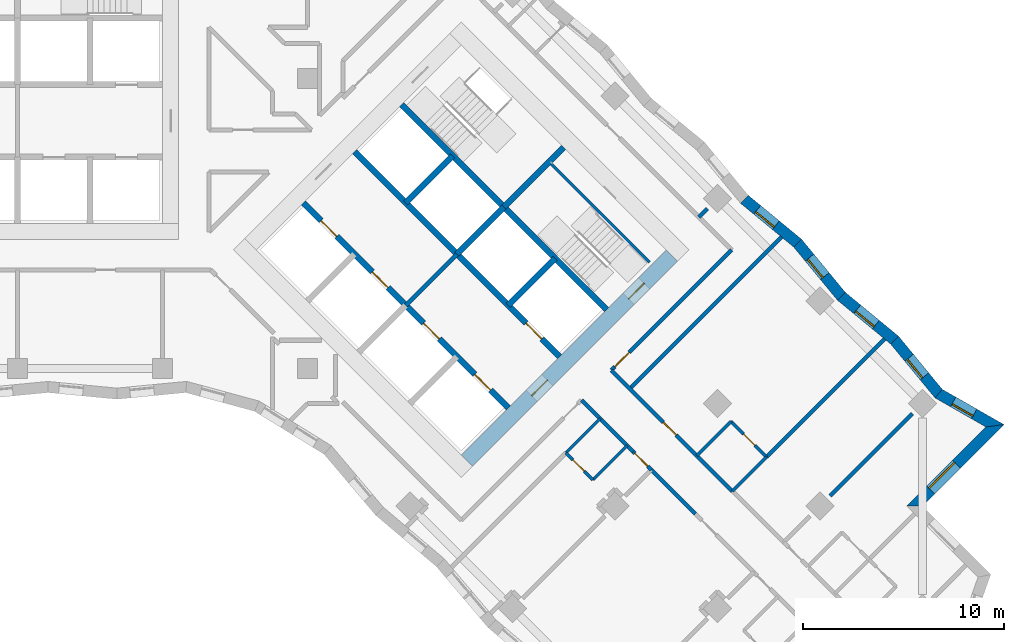
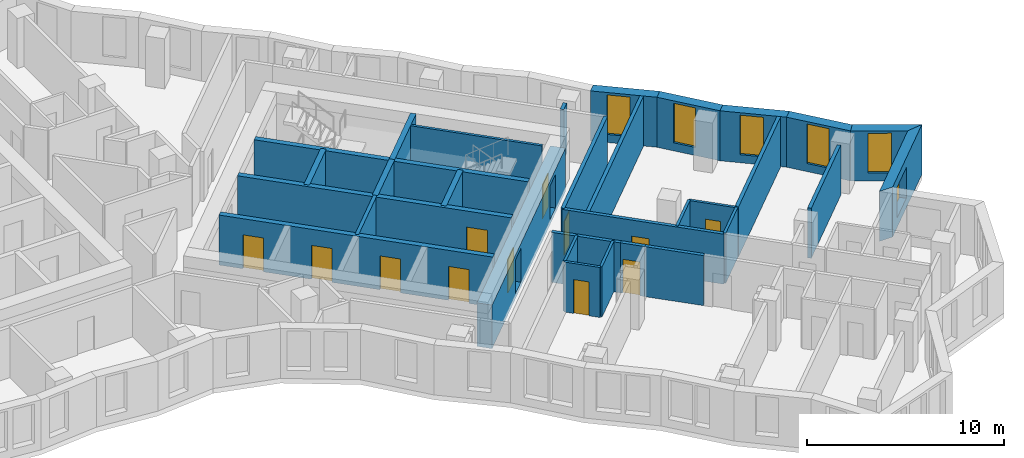
# One storey, part 9 of 12: 32 walls, 12 doors, 6 windows, 18 openings.
"""IFC4 building model written with IfcOpenShell, lengths in metres."""

from ifc_helpers import new_model, si_unit, direction, frame, frame_2d, origin, place, context, subcontext, project, spatial, polyline, rectangle, outline, extrude, material, layer, layer_set, type_object, element, fill, save


model = new_model("IFC4")

# Units and contexts
model_context = context("Model", 3, precision=1e-05, world=origin(), true_north=direction((0.0, 1.0)))
body_context = subcontext(model_context, "Body", "Model", "MODEL_VIEW")
ifc_project = project(units=[si_unit("LENGTHUNIT", "METRE"), si_unit("AREAUNIT", "SQUARE_METRE"), si_unit("VOLUMEUNIT", "CUBIC_METRE"), si_unit("PLANEANGLEUNIT", "RADIAN"), si_unit("MASSUNIT", "GRAM", prefix="KILO")], contexts=[model_context])

# Site, building, storey
site_placement = place(None, origin())
site = spatial("IfcSite", under=ifc_project, at=site_placement, CompositionType="ELEMENT")
building_placement = place(site_placement, origin())
building = spatial("IfcBuilding", under=site, at=building_placement, Name="Windrow Commons", CompositionType="ELEMENT")
storey_placement = place(building_placement, frame((0.0, 0.0, 84.6)))
storey = spatial("IfcBuildingStorey", under=building, at=storey_placement, Name="L22", CompositionType="ELEMENT", Elevation=84.6)

# Wall, opening, window
ifc_material_1 = material(Name="Brick masonry, red clay brick", Category="masonry")
ifc_layer_1 = layer(ifc_material_1, 0.55)
ifc_layer_set_1 = layer_set([ifc_layer_1], Name="Brick facade wall 550")
wall_type_1 = type_object("IfcWallType", Name="Brick facade wall 550", PredefinedType="SOLIDWALL", material=ifc_layer_set_1)
wall_1_placement = place(storey_placement, frame((109.3581, 36.3618, 0.0), z_axis=(0.0, 0.0, 1.0), x_axis=(0.7071067812, 0.7071067812, 0.0)))
wall_1 = element("IfcWall", 1, at=wall_1_placement, inside=storey, type_object=wall_type_1, Name="Brick facade wall L22 6", PredefinedType="SOLIDWALL", context=body_context, shape_type="SweptSolid", body=[
    extrude(outline(polyline([(0.275, -0.275), (6.005, -0.275), (5.2847, 0.275), (-0.275, 0.275), (0.275, -0.275)])), origin(), (0.0, 0.0, 1.0), 3.1),
])
opening_1_placement = place(wall_1_placement, frame((1.1375, 0.0, 0.6)))
opening_1 = element("IfcOpeningElement", 2, at=opening_1_placement, cuts=wall_1, Name="Opening W1L", PredefinedType="OPENING", context=body_context, shape_type="SweptSolid", body=[
    extrude(rectangle(XDim=1.8, YDim=1.9, at=frame_2d((0.9, 0.95))), frame((0.0, 0.285, 0.0), z_axis=(0.0, -1.0, 0.0), x_axis=(1.0, 0.0, 0.0)), (0.0, 0.0, 1.0), 0.57),
])
ifc_material_2 = material(Name="Clear float glass in anodised aluminium frame", Category="aluminium")
window_type_1 = type_object("IfcWindowType", Name="Window W1L bedroom 1800x1900", PartitioningType="SINGLE_PANEL", PredefinedType="WINDOW", material=ifc_material_2)
window_1_placement = place(opening_1_placement, origin())
window_1 = element("IfcWindow", 3, at=window_1_placement, inside=storey, type_object=window_type_1, Name="Window L22 6.1", OverallHeight=1.9, OverallWidth=1.8, PartitioningType="SINGLE_PANEL", PredefinedType="WINDOW", context=body_context, shape_type="SweptSolid", body=[
    extrude(rectangle(XDim=1.8, YDim=1.9, at=frame_2d((0.9, 0.95))), frame((0.0, 0.155, 0.0), z_axis=(0.0, -1.0, 0.0), x_axis=(1.0, 0.0, 0.0)), (0.0, 0.0, 1.0), 0.06),
])
fill(opening_1, window_1)

wall_2_placement = place(storey_placement, frame((113.3496, 40.3533, 0.0), z_axis=(0.0, 0.0, 1.0), x_axis=(-0.8684016794, 0.4958613951, 0.0)))
wall_2 = element("IfcWall", 4, at=wall_2_placement, inside=storey, type_object=wall_type_1, Name="Brick facade wall L22 7", PredefinedType="SOLIDWALL", context=body_context, shape_type="SweptSolid", body=[
    extrude(outline(polyline([(-0.3602, -0.275), (3.1704, -0.275), (3.2714, 0.275), (0.3602, 0.275), (-0.3602, -0.275)])), origin(), (0.0, 0.0, 1.0), 3.1),
])
opening_2_placement = place(wall_2_placement, frame((1.1905, 0.0, 0.5)))
opening_2 = element("IfcOpeningElement", 5, at=opening_2_placement, cuts=wall_2, Name="Opening W7D", PredefinedType="OPENING", context=body_context, shape_type="SweptSolid", body=[
    extrude(rectangle(XDim=1.2, YDim=2.45, at=frame_2d((0.6, 1.225))), frame((0.0, 0.285, 0.0), z_axis=(0.0, -1.0, 0.0), x_axis=(1.0, 0.0, 0.0)), (0.0, 0.0, 1.0), 0.57),
])
ifc_material_3 = material(Name="Clear float glass in anodised aluminium frame", Category="aluminium")
window_type_2 = type_object("IfcWindowType", Name="Window W7 notch 1200x2450", PartitioningType="SINGLE_PANEL", PredefinedType="WINDOW", material=ifc_material_3)
window_2_placement = place(opening_2_placement, origin())
window_2 = element("IfcWindow", 6, at=window_2_placement, inside=storey, type_object=window_type_2, Name="Window L22 7.1", OverallHeight=2.45, OverallWidth=1.2, PartitioningType="SINGLE_PANEL", PredefinedType="WINDOW", context=body_context, shape_type="SweptSolid", body=[
    extrude(rectangle(XDim=1.2, YDim=2.45, at=frame_2d((0.6, 1.225))), frame((0.0, 0.155, 0.0), z_axis=(0.0, -1.0, 0.0), x_axis=(1.0, 0.0, 0.0)), (0.0, 0.0, 1.0), 0.06),
])
fill(opening_2, window_2)

wall_3_placement = place(storey_placement, frame((110.5526, 41.9504, 0.0), z_axis=(0.0, 0.0, 1.0), x_axis=(-0.6356085732, 0.7720114906, 0.0)))
wall_3 = element("IfcWall", 7, at=wall_3_placement, inside=storey, type_object=wall_type_1, Name="Brick facade wall L22 8", PredefinedType="SOLIDWALL", context=body_context, shape_type="SweptSolid", body=[
    extrude(outline(polyline([(0.0505, -0.275), (3.4723, -0.275), (3.419, 0.275), (-0.0505, 0.275), (0.0505, -0.275)])), origin(), (0.0, 0.0, 1.0), 3.1),
])
opening_3_placement = place(wall_3_placement, frame((1.1095, 0.0, 0.5)))
opening_3 = element("IfcOpeningElement", 8, at=opening_3_placement, cuts=wall_3, Name="Opening W7D", PredefinedType="OPENING", context=body_context, shape_type="SweptSolid", body=[
    extrude(rectangle(XDim=1.2, YDim=2.45, at=frame_2d((0.6, 1.225))), frame((0.0, 0.285, 0.0), z_axis=(0.0, -1.0, 0.0), x_axis=(1.0, 0.0, 0.0)), (0.0, 0.0, 1.0), 0.57),
])
window_3_placement = place(opening_3_placement, origin())
window_3 = element("IfcWindow", 9, at=window_3_placement, inside=storey, type_object=window_type_2, Name="Window L22 8.1", OverallHeight=2.45, OverallWidth=1.2, PartitioningType="SINGLE_PANEL", PredefinedType="WINDOW", context=body_context, shape_type="SweptSolid", body=[
    extrude(rectangle(XDim=1.2, YDim=2.45, at=frame_2d((0.6, 1.225))), frame((0.0, 0.155, 0.0), z_axis=(0.0, -1.0, 0.0), x_axis=(1.0, 0.0, 0.0)), (0.0, 0.0, 1.0), 0.06),
])
fill(opening_3, window_3)

wall_4_placement = place(storey_placement, frame((108.3625, 44.6105, 0.0), z_axis=(0.0, 0.0, 1.0), x_axis=(-0.7720044648, 0.6356171067, 0.0)))
wall_4 = element("IfcWall", 10, at=wall_4_placement, inside=storey, type_object=wall_type_1, Name="Brick facade wall L22 9", PredefinedType="SOLIDWALL", context=body_context, shape_type="SweptSolid", body=[
    extrude(outline(polyline([(-0.0266, -0.275), (3.3952, -0.275), (3.4485, 0.275), (0.0266, 0.275), (-0.0266, -0.275)])), origin(), (0.0, 0.0, 1.0), 3.1),
])
opening_4_placement = place(wall_4_placement, frame((1.2059, 0.0, 0.5)))
opening_4 = element("IfcOpeningElement", 11, at=opening_4_placement, cuts=wall_4, Name="Opening W7D", PredefinedType="OPENING", context=body_context, shape_type="SweptSolid", body=[
    extrude(rectangle(XDim=1.2, YDim=2.45, at=frame_2d((0.6, 1.225))), frame((0.0, 0.285, 0.0), z_axis=(0.0, -1.0, 0.0), x_axis=(1.0, 0.0, 0.0)), (0.0, 0.0, 1.0), 0.57),
])
window_4_placement = place(opening_4_placement, origin())
window_4 = element("IfcWindow", 12, at=window_4_placement, inside=storey, type_object=window_type_2, Name="Window L22 9.1", OverallHeight=2.45, OverallWidth=1.2, PartitioningType="SINGLE_PANEL", PredefinedType="WINDOW", context=body_context, shape_type="SweptSolid", body=[
    extrude(rectangle(XDim=1.2, YDim=2.45, at=frame_2d((0.6, 1.225))), frame((0.0, 0.155, 0.0), z_axis=(0.0, -1.0, 0.0), x_axis=(1.0, 0.0, 0.0)), (0.0, 0.0, 1.0), 0.06),
])
fill(opening_4, window_4)

wall_5_placement = place(storey_placement, frame((105.7208, 46.7855, 0.0), z_axis=(0.0, 0.0, 1.0), x_axis=(-0.6356171067, 0.7720044648, 0.0)))
wall_5 = element("IfcWall", 13, at=wall_5_placement, inside=storey, type_object=wall_type_1, Name="Brick facade wall L22 10", PredefinedType="SOLIDWALL", context=body_context, shape_type="SweptSolid", body=[
    extrude(outline(polyline([(0.0266, -0.275), (3.4485, -0.275), (3.3952, 0.275), (-0.0266, 0.275), (0.0266, -0.275)])), origin(), (0.0, 0.0, 1.0), 3.1),
])
opening_5_placement = place(wall_5_placement, frame((1.2901, 0.0, 0.5)))
opening_5 = element("IfcOpeningElement", 14, at=opening_5_placement, cuts=wall_5, Name="Opening W7D", PredefinedType="OPENING", context=body_context, shape_type="SweptSolid", body=[
    extrude(rectangle(XDim=1.2, YDim=2.45, at=frame_2d((0.6, 1.225))), frame((0.0, 0.285, 0.0), z_axis=(0.0, -1.0, 0.0), x_axis=(1.0, 0.0, 0.0)), (0.0, 0.0, 1.0), 0.57),
])
window_5_placement = place(opening_5_placement, origin())
window_5 = element("IfcWindow", 15, at=window_5_placement, inside=storey, type_object=window_type_2, Name="Window L22 10.1", OverallHeight=2.45, OverallWidth=1.2, PartitioningType="SINGLE_PANEL", PredefinedType="WINDOW", context=body_context, shape_type="SweptSolid", body=[
    extrude(rectangle(XDim=1.2, YDim=2.45, at=frame_2d((0.6, 1.225))), frame((0.0, 0.155, 0.0), z_axis=(0.0, -1.0, 0.0), x_axis=(1.0, 0.0, 0.0)), (0.0, 0.0, 1.0), 0.06),
])
fill(opening_5, window_5)

wall_6_placement = place(storey_placement, frame((103.5458, 49.4272, 0.0), z_axis=(0.0, 0.0, 1.0), x_axis=(-0.7720069983, 0.6356140296, 0.0)))
wall_6 = element("IfcWall", 16, at=wall_6_placement, inside=storey, type_object=wall_type_1, Name="Brick facade wall L22 11", PredefinedType="SOLIDWALL", context=body_context, shape_type="SweptSolid", body=[
    extrude(outline(polyline([(-0.0266, -0.275), (3.3952, -0.275), (3.4485, 0.275), (0.0266, 0.275), (-0.0266, -0.275)])), origin(), (0.0, 0.0, 1.0), 3.1),
])
opening_6_placement = place(wall_6_placement, frame((1.401, 0.0, 0.5)))
opening_6 = element("IfcOpeningElement", 17, at=opening_6_placement, cuts=wall_6, Name="Opening W7D", PredefinedType="OPENING", context=body_context, shape_type="SweptSolid", body=[
    extrude(rectangle(XDim=1.2, YDim=2.45, at=frame_2d((0.6, 1.225))), frame((0.0, 0.285, 0.0), z_axis=(0.0, -1.0, 0.0), x_axis=(1.0, 0.0, 0.0)), (0.0, 0.0, 1.0), 0.57),
])
window_6_placement = place(opening_6_placement, origin())
window_6 = element("IfcWindow", 18, at=window_6_placement, inside=storey, type_object=window_type_2, Name="Window L22 11.1", OverallHeight=2.45, OverallWidth=1.2, PartitioningType="SINGLE_PANEL", PredefinedType="WINDOW", context=body_context, shape_type="SweptSolid", body=[
    extrude(rectangle(XDim=1.2, YDim=2.45, at=frame_2d((0.6, 1.225))), frame((0.0, 0.155, 0.0), z_axis=(0.0, -1.0, 0.0), x_axis=(1.0, 0.0, 0.0)), (0.0, 0.0, 1.0), 0.06),
])
fill(opening_6, window_6)

# Wall
ifc_material_4 = material(Name="Blockwork partition", Category="masonry")
ifc_layer_2 = layer(ifc_material_4, 0.2)
ifc_layer_set_2 = layer_set([ifc_layer_2], Name="Fire lobby partition 200")
wall_type_2 = type_object("IfcWallType", Name="Fire lobby partition 200", PredefinedType="PARTITIONING", material=ifc_layer_set_2)
wall_7_placement = place(storey_placement, frame((84.079, 46.332, 0.0), z_axis=(0.0, 0.0, 1.0), x_axis=(0.7071067812, 0.7071067812, 0.0)))
element("IfcWall", 19, at=wall_7_placement, inside=storey, type_object=wall_type_2, Name="W-core-lobby-B-L22", PredefinedType="PARTITIONING", context=body_context, shape_type="SweptSolid", body=[
    extrude(rectangle(XDim=3.6, YDim=0.2, at=frame_2d((1.8, 0.0))), origin(), (0.0, 0.0, 1.0), 3.1),
])

# Wall, opening, door
ifc_material_5 = material(Name="Blockwork partition", Category="masonry")
ifc_layer_3 = layer(ifc_material_5, 0.2)
ifc_layer_set_3 = layer_set([ifc_layer_3], Name="IW-CORRIDOR-200")
wall_type_3 = type_object("IfcWallType", Name="IW-CORRIDOR-200", PredefinedType="PARTITIONING", material=ifc_layer_set_3)
wall_8_placement = place(storey_placement, frame((94.2945, 43.1105, 0.0), z_axis=(0.0, 0.0, 1.0), x_axis=(0.7071067812, -0.7071067812, 0.0)))
wall_8 = element("IfcWall", 20, at=wall_8_placement, inside=storey, type_object=wall_type_3, Name="W-L22-W008", PredefinedType="PARTITIONING", context=body_context, shape_type="SweptSolid", body=[
    extrude(rectangle(XDim=8.4994, YDim=0.2, at=frame_2d((4.2497, 0.0))), origin(), (0.0, 0.0, 1.0), 3.1),
])
opening_7_placement = place(wall_8_placement, frame((3.6515, 0.0, 0.0)))
opening_7 = element("IfcOpeningElement", 21, at=opening_7_placement, cuts=wall_8, Name="Opening D109F", PredefinedType="OPENING", context=body_context, shape_type="SweptSolid", body=[
    extrude(rectangle(XDim=0.9, YDim=2.1, at=frame_2d((0.45, 1.05))), frame((0.0, 0.11, 0.0), z_axis=(0.0, -1.0, 0.0), x_axis=(1.0, 0.0, 0.0)), (0.0, 0.0, 1.0), 0.22),
])
ifc_material_6 = material(Name="Timber door leaf", Category="wood")
door_type_1 = type_object("IfcDoorType", Name="DT-BEDROOM-900", OperationType="SINGLE_SWING_LEFT", PredefinedType="DOOR", material=ifc_material_6)
door_1_placement = place(opening_7_placement, origin())
door_1 = element("IfcDoor", 22, at=door_1_placement, inside=storey, type_object=door_type_1, Name="D-L22-D043", OperationType="SINGLE_SWING_RIGHT", OverallHeight=2.1, OverallWidth=0.9, PredefinedType="DOOR", context=body_context, shape_type="SweptSolid", body=[
    extrude(rectangle(XDim=0.9, YDim=2.1, at=frame_2d((0.45, 1.05))), frame((0.0, 0.025, 0.0), z_axis=(0.0, -1.0, 0.0), x_axis=(1.0, 0.0, 0.0)), (0.0, 0.0, 1.0), 0.05),
])
fill(opening_7, door_1)

wall_9_placement = place(storey_placement, frame((94.2972, 43.1168, 0.0), z_axis=(0.0, 0.0, 1.0), x_axis=(0.7071067812, 0.7071067812, 0.0)))
wall_9 = element("IfcWall", 23, at=wall_9_placement, inside=storey, type_object=wall_type_3, Name="W-L22-W010", PredefinedType="PARTITIONING", context=body_context, shape_type="SweptSolid", body=[
    extrude(rectangle(XDim=8.4485, YDim=0.2, at=frame_2d((4.2242, 0.0))), origin(), (0.0, 0.0, 1.0), 3.1),
])
opening_8_placement = place(wall_9_placement, frame((0.2416, 0.0, 0.0)))
opening_8 = element("IfcOpeningElement", 24, at=opening_8_placement, cuts=wall_9, Name="Opening D310F", PredefinedType="OPENING", context=body_context, shape_type="SweptSolid", body=[
    extrude(rectangle(XDim=1.0, YDim=2.1, at=frame_2d((0.5, 1.05))), frame((0.0, 0.11, 0.0), z_axis=(0.0, -1.0, 0.0), x_axis=(1.0, 0.0, 0.0)), (0.0, 0.0, 1.0), 0.22),
])
ifc_material_7 = material(Name="Timber door leaf", Category="wood")
door_type_2 = type_object("IfcDoorType", Name="DT-AMENITY-1000", OperationType="SINGLE_SWING_LEFT", PredefinedType="DOOR", material=ifc_material_7)
door_2_placement = place(opening_8_placement, origin())
door_2 = element("IfcDoor", 25, at=door_2_placement, inside=storey, type_object=door_type_2, Name="D-L22-D042", OperationType="SINGLE_SWING_LEFT", OverallHeight=2.1, OverallWidth=1.0, PredefinedType="DOOR", context=body_context, shape_type="SweptSolid", body=[
    extrude(rectangle(XDim=1.0, YDim=2.1, at=frame_2d((0.5, 1.05))), frame((0.0, 0.025, 0.0), z_axis=(0.0, -1.0, 0.0), x_axis=(1.0, 0.0, 0.0)), (0.0, 0.0, 1.0), 0.05),
])
fill(opening_8, door_2)

# Walls
wall_10_placement = place(storey_placement, frame((92.8086, 41.6266, 0.0), z_axis=(0.0, 0.0, 1.0), x_axis=(0.7071067812, -0.7071067812, 0.0)))
element("IfcWall", 26, at=wall_10_placement, inside=storey, type_object=wall_type_3, Name="W-L22-W057", PredefinedType="PARTITIONING", context=body_context, shape_type="SweptSolid", body=[
    extrude(rectangle(XDim=3.6232, YDim=0.2, at=frame_2d((1.8116, 0.0))), origin(), (0.0, 0.0, 1.0), 3.1),
])
wall_11_placement = place(storey_placement, frame((96.2736, 38.1616, 0.0), z_axis=(0.0, 0.0, 1.0), x_axis=(0.7071067812, -0.7071067812, 0.0)))
element("IfcWall", 27, at=wall_11_placement, inside=storey, type_object=wall_type_3, Name="W-L22-W063", PredefinedType="PARTITIONING", context=body_context, shape_type="SweptSolid", body=[
    extrude(rectangle(XDim=3.1, YDim=0.2, at=frame_2d((1.55, 0.0))), origin(), (0.0, 0.0, 1.0), 3.1),
])

# Wall, opening, door
wall_12_placement = place(storey_placement, frame((95.3748, 39.0688, 0.0), z_axis=(0.0, 0.0, 1.0), x_axis=(0.7063232841, -0.7078894111, 0.0)))
wall_12 = element("IfcWall", 28, at=wall_12_placement, inside=storey, type_object=wall_type_3, Name="W-L22-W147", PredefinedType="PARTITIONING", context=body_context, shape_type="SweptSolid", body=[
    extrude(rectangle(XDim=1.277, YDim=0.2, at=frame_2d((0.6385, 0.0))), origin(), (0.0, 0.0, 1.0), 3.1),
])
opening_9_placement = place(wall_12_placement, frame((0.1285, 0.0, 0.0)))
opening_9 = element("IfcOpeningElement", 29, at=opening_9_placement, cuts=wall_12, Name="Opening D109S", PredefinedType="OPENING", context=body_context, shape_type="SweptSolid", body=[
    extrude(rectangle(XDim=0.9, YDim=2.1, at=frame_2d((0.45, 1.05))), frame((0.0, 0.11, 0.0), z_axis=(0.0, -1.0, 0.0), x_axis=(1.0, 0.0, 0.0)), (0.0, 0.0, 1.0), 0.22),
])
door_3_placement = place(opening_9_placement, origin())
door_3 = element("IfcDoor", 30, at=door_3_placement, inside=storey, type_object=door_type_1, Name="D-L22-D048", OperationType="SINGLE_SWING_LEFT", OverallHeight=2.1, OverallWidth=0.9, PredefinedType="DOOR", context=body_context, shape_type="SweptSolid", body=[
    extrude(rectangle(XDim=0.9, YDim=2.1, at=frame_2d((0.45, 1.05))), frame((0.0, 0.025, 0.0), z_axis=(0.0, -1.0, 0.0), x_axis=(1.0, 0.0, 0.0)), (0.0, 0.0, 1.0), 0.05),
])
fill(opening_9, door_3)

ifc_material_8 = material(Name="Blockwork partition", Category="masonry")
ifc_layer_4 = layer(ifc_material_8, 0.15)
ifc_layer_set_4 = layer_set([ifc_layer_4], Name="IW-ENSUITE-150")
wall_type_4 = type_object("IfcWallType", Name="IW-ENSUITE-150", PredefinedType="PARTITIONING", material=ifc_layer_set_4)
wall_13_placement = place(storey_placement, frame((100.2326, 40.5666, 0.0), z_axis=(0.0, 0.0, 1.0), x_axis=(0.7071067812, -0.7071067812, 0.0)))
wall_13 = element("IfcWall", 31, at=wall_13_placement, inside=storey, type_object=wall_type_4, Name="W-L22-W069", PredefinedType="PARTITIONING", context=body_context, shape_type="SweptSolid", body=[
    extrude(rectangle(XDim=2.5003, YDim=0.15, at=frame_2d((1.2502, 0.0))), origin(), (0.0, 0.0, 1.0), 3.1),
])
opening_10_placement = place(wall_13_placement, frame((0.883, 0.0, 0.0)))
opening_10 = element("IfcOpeningElement", 32, at=opening_10_placement, cuts=wall_13, Name="Opening D208N", PredefinedType="OPENING", context=body_context, shape_type="SweptSolid", body=[
    extrude(rectangle(XDim=0.8, YDim=2.1, at=frame_2d((0.4, 1.05))), frame((0.0, 0.085, 0.0), z_axis=(0.0, -1.0, 0.0), x_axis=(1.0, 0.0, 0.0)), (0.0, 0.0, 1.0), 0.17),
])
ifc_material_9 = material(Name="Timber door leaf", Category="wood")
door_type_3 = type_object("IfcDoorType", Name="DT-ENSUITE-800", OperationType="SINGLE_SWING_LEFT", PredefinedType="DOOR", material=ifc_material_9)
door_4_placement = place(opening_10_placement, origin())
door_4 = element("IfcDoor", 33, at=door_4_placement, inside=storey, type_object=door_type_3, Name="D-L22-D044", OperationType="SINGLE_SWING_RIGHT", OverallHeight=2.1, OverallWidth=0.8, PredefinedType="DOOR", context=body_context, shape_type="SweptSolid", body=[
    extrude(rectangle(XDim=0.8, YDim=2.1, at=frame_2d((0.4, 1.05))), frame((0.0, 0.025, 0.0), z_axis=(0.0, -1.0, 0.0), x_axis=(1.0, 0.0, 0.0)), (0.0, 0.0, 1.0), 0.05),
])
fill(opening_10, door_4)

# Walls
for number, where, z_axis, x_axis, name in (
    (34, (92.0367, 39.0113, 0.0), (0.0, 0.0, 1.0), (0.7075233388, 0.706689978, 0.0), "W-L22-W091"),
    (35, (93.3808, 37.6672, 0.0), (0.0, 0.0, 1.0), (0.706689978, 0.7075233388, 0.0), "W-L22-W092"),
    (36, (98.5408, 38.8712, 0.0), (0.0, 0.0, 1.0), (0.706689978, 0.7075233388, 0.0), "W-L22-W093"),
    (37, (100.3085, 37.1035, 0.0), (0.0, 0.0, 1.0), (0.706689978, 0.7075233388, 0.0), "W-L22-W094"),
):
    element("IfcWall", number, at=place(storey_placement, frame(where, z_axis=z_axis, x_axis=x_axis)), inside=storey, type_object=wall_type_4, Name=name, PredefinedType="PARTITIONING", context=body_context, shape_type="SweptSolid", body=[
        extrude(rectangle(XDim=2.3999, YDim=0.15, at=frame_2d((1.2, 0.0))), origin(), (0.0, 0.0, 1.0), 3.1),
    ])

# Wall, opening, door
wall_14_placement = place(storey_placement, frame((92.0305, 39.0105, 0.0), z_axis=(0.0, 0.0, 1.0), x_axis=(0.7071067812, -0.7071067812, 0.0)))
wall_14 = element("IfcWall", 38, at=wall_14_placement, inside=storey, type_object=wall_type_4, Name="W-L22-W124", PredefinedType="PARTITIONING", context=body_context, shape_type="SweptSolid", body=[
    extrude(rectangle(XDim=1.9007, YDim=0.15, at=frame_2d((0.9504, 0.0))), origin(), (0.0, 0.0, 1.0), 3.1),
])
opening_11_placement = place(wall_14_placement, frame((0.5024, 0.0, 0.0)))
opening_11 = element("IfcOpeningElement", 39, at=opening_11_placement, cuts=wall_14, Name="Opening D208N", PredefinedType="OPENING", context=body_context, shape_type="SweptSolid", body=[
    extrude(rectangle(XDim=0.8, YDim=2.1, at=frame_2d((0.4, 1.05))), frame((0.0, 0.085, 0.0), z_axis=(0.0, -1.0, 0.0), x_axis=(1.0, 0.0, 0.0)), (0.0, 0.0, 1.0), 0.17),
])
door_5_placement = place(opening_11_placement, origin())
door_5 = element("IfcDoor", 40, at=door_5_placement, inside=storey, type_object=door_type_3, Name="D-L22-D049", OperationType="SINGLE_SWING_RIGHT", OverallHeight=2.1, OverallWidth=0.8, PredefinedType="DOOR", context=body_context, shape_type="SweptSolid", body=[
    extrude(rectangle(XDim=0.8, YDim=2.1, at=frame_2d((0.4, 1.05))), frame((0.0, 0.025, 0.0), z_axis=(0.0, -1.0, 0.0), x_axis=(1.0, 0.0, 0.0)), (0.0, 0.0, 1.0), 0.05),
])
fill(opening_11, door_5)

# Walls
ifc_material_10 = material(Name="Blockwork partition", Category="masonry")
ifc_layer_5 = layer(ifc_material_10, 0.2)
ifc_layer_set_5 = layer_set([ifc_layer_5], Name="IW-PARTY-200")
wall_type_5 = type_object("IfcWallType", Name="IW-PARTY-200", PredefinedType="PARTITIONING", material=ifc_layer_set_5)
wall_15_placement = place(storey_placement, frame((95.2154, 42.1966, 0.0), z_axis=(0.0, 0.0, 1.0), x_axis=(0.7071114753, 0.7071020871, 0.0)))
element("IfcWall", 41, at=wall_15_placement, inside=storey, type_object=wall_type_5, Name="W-L22-W006", PredefinedType="PARTITIONING", context=body_context, shape_type="SweptSolid", body=[
    extrude(rectangle(XDim=10.6516, YDim=0.2, at=frame_2d((5.3258, 0.0))), origin(), (0.0, 0.0, 1.0), 3.1),
])
wall_16_placement = place(storey_placement, frame((102.002, 38.804, 0.0), z_axis=(0.0, 0.0, 1.0), x_axis=(0.7072394704, 0.7069740671, 0.0)))
element("IfcWall", 42, at=wall_16_placement, inside=storey, type_object=wall_type_5, Name="W-L22-W012", PredefinedType="PARTITIONING", context=body_context, shape_type="SweptSolid", body=[
    extrude(rectangle(XDim=8.2893, YDim=0.2, at=frame_2d((4.1447, 0.0))), origin(), (0.0, 0.0, 1.0), 3.1),
])
wall_17_placement = place(storey_placement, frame((105.1552, 36.8628, 0.0), z_axis=(0.0, 0.0, 1.0), x_axis=(0.7071067812, 0.7071067812, 0.0)))
element("IfcWall", 43, at=wall_17_placement, inside=storey, type_object=wall_type_5, Name="W-L22-W030", PredefinedType="PARTITIONING", context=body_context, shape_type="SweptSolid", body=[
    extrude(rectangle(XDim=5.787, YDim=0.2, at=frame_2d((2.8935, 0.0))), origin(), (0.0, 0.0, 1.0), 3.1),
])
wall_18_placement = place(storey_placement, frame((98.6435, 50.7185, 0.0), z_axis=(0.0, 0.0, 1.0), x_axis=(0.7054171665, 0.7087923682, 0.0)))
element("IfcWall", 44, at=wall_18_placement, inside=storey, type_object=wall_type_5, Name="W-L22-W160", PredefinedType="PARTITIONING", context=body_context, shape_type="SweptSolid", body=[
    extrude(rectangle(XDim=0.5926, YDim=0.2, at=frame_2d((0.2963, 0.0))), origin(), (0.0, 0.0, 1.0), 3.1),
])

# Wall, openings, doors
ifc_material_11 = material(Name="Concrete C50/60", Category="concrete")
ifc_layer_6 = layer(ifc_material_11, 0.8)
ifc_layer_set_6 = layer_set([ifc_layer_6], Name="RC CORE WALL 800 C50/60")
wall_type_6 = type_object("IfcWallType", Name="RC CORE WALL 800 C50/60", PredefinedType="SHEAR", material=ifc_layer_set_6)
wall_19_placement = place(storey_placement, frame((87.1196, 38.6246, -0.3), z_axis=(0.0, 0.0, 1.0), x_axis=(0.7071067812, 0.7071067812, 0.0)))
wall_19 = element("IfcWall", 45, at=wall_19_placement, inside=storey, type_object=wall_type_6, Name="Core B wall outer-E", PredefinedType="SHEAR", context=body_context, shape_type="SweptSolid", body=[
    extrude(rectangle(XDim=14.3999, YDim=0.8, at=frame_2d((7.2, 0.0))), origin(), (0.0, 0.0, 1.0), 2.7),
])
opening_12_placement = place(wall_19_placement, frame((4.55, 0.0, 0.3)))
opening_12 = element("IfcOpeningElement", 46, at=opening_12_placement, cuts=wall_19, Name="Opening D6", PredefinedType="OPENING", context=body_context, shape_type="SweptSolid", body=[
    extrude(rectangle(XDim=1.1, YDim=2.1, at=frame_2d((0.55, 1.05))), frame((0.0, 0.41, 0.0), z_axis=(0.0, -1.0, 0.0), x_axis=(1.0, 0.0, 0.0)), (0.0, 0.0, 1.0), 0.82),
])
opening_13_placement = place(wall_19_placement, frame((11.35, 0.0, 0.3)))
opening_13 = element("IfcOpeningElement", 47, at=opening_13_placement, cuts=wall_19, Name="Opening D7", PredefinedType="OPENING", context=body_context, shape_type="SweptSolid", body=[
    extrude(rectangle(XDim=1.1, YDim=2.1, at=frame_2d((0.55, 1.05))), frame((0.0, 0.41, 0.0), z_axis=(0.0, -1.0, 0.0), x_axis=(1.0, 0.0, 0.0)), (0.0, 0.0, 1.0), 0.82),
])
ifc_material_12 = material(Name="Steel fire door leaf", Category="steel")
door_type_4 = type_object("IfcDoorType", Name="Core lobby door 1100", OperationType="SINGLE_SWING_LEFT", PredefinedType="DOOR", material=ifc_material_12)
door_6_placement = place(opening_12_placement, origin())
door_6 = element("IfcDoor", 48, at=door_6_placement, inside=storey, type_object=door_type_4, Name="Lift lobby door", OperationType="DOUBLE_DOOR_SINGLE_SWING", OverallHeight=2.1, OverallWidth=1.1, PredefinedType="DOOR", context=body_context, shape_type="SweptSolid", body=[
    extrude(rectangle(XDim=1.1, YDim=2.1, at=frame_2d((0.55, 1.05))), frame((0.0, 0.025, 0.0), z_axis=(0.0, -1.0, 0.0), x_axis=(1.0, 0.0, 0.0)), (0.0, 0.0, 1.0), 0.05),
])
fill(opening_12, door_6)
ifc_material_13 = material(Name="Steel fire door leaf", Category="steel")
door_type_5 = type_object("IfcDoorType", Name="Stair door 1100", OperationType="SINGLE_SWING_LEFT", PredefinedType="DOOR", material=ifc_material_13)
door_7_placement = place(opening_13_placement, origin())
door_7 = element("IfcDoor", 49, at=door_7_placement, inside=storey, type_object=door_type_5, Name="Stair door", OperationType="SINGLE_SWING_RIGHT", OverallHeight=2.1, OverallWidth=1.1, PredefinedType="DOOR", context=body_context, shape_type="SweptSolid", body=[
    extrude(rectangle(XDim=1.1, YDim=2.1, at=frame_2d((0.55, 1.05))), frame((0.0, 0.025, 0.0), z_axis=(0.0, -1.0, 0.0), x_axis=(1.0, 0.0, 0.0)), (0.0, 0.0, 1.0), 0.05),
])
fill(opening_13, door_7)

# Walls
ifc_material_14 = material(Name="Concrete C50/60", Category="concrete")
ifc_layer_7 = layer(ifc_material_14, 0.3)
ifc_layer_set_7 = layer_set([ifc_layer_7], Name="RC SHAFT WALL 300 C50/60")
wall_type_7 = type_object("IfcWallType", Name="RC SHAFT WALL 300 C50/60", PredefinedType="SOLIDWALL", material=ifc_layer_set_7)
wall_20_placement = place(storey_placement, frame((84.079, 51.4232, 0.0), z_axis=(0.0, 0.0, 1.0), x_axis=(0.7071219326, 0.7070916295, 0.0)))
element("IfcWall", 50, at=wall_20_placement, inside=storey, type_object=wall_type_7, Name="Core B wall shaft-N1", PredefinedType="SOLIDWALL", context=body_context, shape_type="SweptSolid", body=[
    extrude(rectangle(XDim=3.3, YDim=0.3, at=frame_2d((1.65, 0.0))), origin(), (0.0, 0.0, 1.0), 3.1),
])
for number, where, z_axis, x_axis, name in (
    (51, (86.6246, 48.8776, 0.0), (0.0, 0.0, 1.0), (0.7071067812, 0.7071067812, 0.0), "Core B wall shaft-N2"),
    (52, (89.1702, 46.332, 0.0), (0.0, 0.0, 1.0), (0.7071067812, 0.7071067812, 0.0), "Core B wall shaft-N3"),
):
    element("IfcWall", number, at=place(storey_placement, frame(where, z_axis=z_axis, x_axis=x_axis)), inside=storey, type_object=wall_type_7, Name=name, PredefinedType="SOLIDWALL", context=body_context, shape_type="SweptSolid", body=[
        extrude(rectangle(XDim=3.3001, YDim=0.3, at=frame_2d((1.6501, 0.0))), origin(), (0.0, 0.0, 1.0), 3.1),
    ])

# Wall, openings, doors
wall_21_placement = place(storey_placement, frame((78.9879, 51.4232, 0.0), z_axis=(0.0, 0.0, 1.0), x_axis=(0.7071067812, -0.7071067812, 0.0)))
wall_21 = element("IfcWall", 53, at=wall_21_placement, inside=storey, type_object=wall_type_7, Name="Core B wall lobby-S", PredefinedType="SOLIDWALL", context=body_context, shape_type="SweptSolid", body=[
    extrude(rectangle(XDim=14.3999, YDim=0.3, at=frame_2d((7.2, 0.0))), origin(), (0.0, 0.0, 1.0), 3.1),
])
opening_14_placement = place(wall_21_placement, frame((1.25, 0.0, 0.0)))
opening_14 = element("IfcOpeningElement", 54, at=opening_14_placement, cuts=wall_21, Name="Opening LD", PredefinedType="OPENING", context=body_context, shape_type="SweptSolid", body=[
    extrude(rectangle(XDim=1.1, YDim=2.1, at=frame_2d((0.55, 1.05))), frame((0.0, 0.16, 0.0), z_axis=(0.0, -1.0, 0.0), x_axis=(1.0, 0.0, 0.0)), (0.0, 0.0, 1.0), 0.32),
])
opening_15_placement = place(wall_21_placement, frame((4.85, 0.0, 0.0)))
opening_15 = element("IfcOpeningElement", 55, at=opening_15_placement, cuts=wall_21, Name="Opening LD", PredefinedType="OPENING", context=body_context, shape_type="SweptSolid", body=[
    extrude(rectangle(XDim=1.1, YDim=2.1, at=frame_2d((0.55, 1.05))), frame((0.0, 0.16, 0.0), z_axis=(0.0, -1.0, 0.0), x_axis=(1.0, 0.0, 0.0)), (0.0, 0.0, 1.0), 0.32),
])
opening_16_placement = place(wall_21_placement, frame((8.45, 0.0, 0.0)))
opening_16 = element("IfcOpeningElement", 56, at=opening_16_placement, cuts=wall_21, Name="Opening LD", PredefinedType="OPENING", context=body_context, shape_type="SweptSolid", body=[
    extrude(rectangle(XDim=1.1, YDim=2.1, at=frame_2d((0.55, 1.05))), frame((0.0, 0.16, 0.0), z_axis=(0.0, -1.0, 0.0), x_axis=(1.0, 0.0, 0.0)), (0.0, 0.0, 1.0), 0.32),
])
opening_17_placement = place(wall_21_placement, frame((12.05, 0.0, 0.0)))
opening_17 = element("IfcOpeningElement", 57, at=opening_17_placement, cuts=wall_21, Name="Opening LD", PredefinedType="OPENING", context=body_context, shape_type="SweptSolid", body=[
    extrude(rectangle(XDim=1.1, YDim=2.1, at=frame_2d((0.55, 1.05))), frame((0.0, 0.16, 0.0), z_axis=(0.0, -1.0, 0.0), x_axis=(1.0, 0.0, 0.0)), (0.0, 0.0, 1.0), 0.32),
])
ifc_material_15 = material(Name="Stainless steel door leaf", Category="steel")
door_type_6 = type_object("IfcDoorType", Name="Lift landing door 1100", OperationType="SLIDING_TO_LEFT", PredefinedType="DOOR", material=ifc_material_15)
door_8_placement = place(opening_14_placement, origin())
door_8 = element("IfcDoor", 58, at=door_8_placement, inside=storey, type_object=door_type_6, Name="Lift landing door", OperationType="SLIDING_TO_LEFT", OverallHeight=2.1, OverallWidth=1.1, PredefinedType="DOOR", context=body_context, shape_type="SweptSolid", body=[
    extrude(rectangle(XDim=1.1, YDim=2.1, at=frame_2d((0.55, 1.05))), frame((0.0, 0.025, 0.0), z_axis=(0.0, -1.0, 0.0), x_axis=(1.0, 0.0, 0.0)), (0.0, 0.0, 1.0), 0.05),
])
fill(opening_14, door_8)
door_9_placement = place(opening_15_placement, origin())
door_9 = element("IfcDoor", 59, at=door_9_placement, inside=storey, type_object=door_type_6, Name="Lift landing door", OperationType="SLIDING_TO_RIGHT", OverallHeight=2.1, OverallWidth=1.1, PredefinedType="DOOR", context=body_context, shape_type="SweptSolid", body=[
    extrude(rectangle(XDim=1.1, YDim=2.1, at=frame_2d((0.55, 1.05))), frame((0.0, 0.025, 0.0), z_axis=(0.0, -1.0, 0.0), x_axis=(1.0, 0.0, 0.0)), (0.0, 0.0, 1.0), 0.05),
])
fill(opening_15, door_9)
door_10_placement = place(opening_16_placement, origin())
door_10 = element("IfcDoor", 60, at=door_10_placement, inside=storey, type_object=door_type_6, Name="Lift landing door", OperationType="SLIDING_TO_LEFT", OverallHeight=2.1, OverallWidth=1.1, PredefinedType="DOOR", context=body_context, shape_type="SweptSolid", body=[
    extrude(rectangle(XDim=1.1, YDim=2.1, at=frame_2d((0.55, 1.05))), frame((0.0, 0.025, 0.0), z_axis=(0.0, -1.0, 0.0), x_axis=(1.0, 0.0, 0.0)), (0.0, 0.0, 1.0), 0.05),
])
fill(opening_16, door_10)
door_11_placement = place(opening_17_placement, origin())
door_11 = element("IfcDoor", 61, at=door_11_placement, inside=storey, type_object=door_type_6, Name="Lift landing door", OperationType="SLIDING_TO_RIGHT", OverallHeight=2.1, OverallWidth=1.1, PredefinedType="DOOR", context=body_context, shape_type="SweptSolid", body=[
    extrude(rectangle(XDim=1.1, YDim=2.1, at=frame_2d((0.55, 1.05))), frame((0.0, 0.025, 0.0), z_axis=(0.0, -1.0, 0.0), x_axis=(1.0, 0.0, 0.0)), (0.0, 0.0, 1.0), 0.05),
])
fill(opening_17, door_11)

# Wall, opening, door
wall_22_placement = place(storey_placement, frame((81.5335, 53.9688, 0.0), z_axis=(0.0, 0.0, 1.0), x_axis=(0.707103309, -0.7071102534, 0.0)))
wall_22 = element("IfcWall", 62, at=wall_22_placement, inside=storey, type_object=wall_type_7, Name="Core B wall lobby-N", PredefinedType="SOLIDWALL", context=body_context, shape_type="SweptSolid", body=[
    extrude(rectangle(XDim=14.4, YDim=0.3, at=frame_2d((7.2, 0.0))), origin(), (0.0, 0.0, 1.0), 3.1),
])
opening_18_placement = place(wall_22_placement, frame((12.05, 0.0, 0.0)))
opening_18 = element("IfcOpeningElement", 63, at=opening_18_placement, cuts=wall_22, Name="Opening LD", PredefinedType="OPENING", context=body_context, shape_type="SweptSolid", body=[
    extrude(rectangle(XDim=1.1, YDim=2.1, at=frame_2d((0.55, 1.05))), frame((0.0, 0.16, 0.0), z_axis=(0.0, -1.0, 0.0), x_axis=(1.0, 0.0, 0.0)), (0.0, 0.0, 1.0), 0.32),
])
door_12_placement = place(opening_18_placement, origin())
door_12 = element("IfcDoor", 64, at=door_12_placement, inside=storey, type_object=door_type_6, Name="Lift landing door", OperationType="SLIDING_TO_RIGHT", OverallHeight=2.1, OverallWidth=1.1, PredefinedType="DOOR", context=body_context, shape_type="SweptSolid", body=[
    extrude(rectangle(XDim=1.1, YDim=2.1, at=frame_2d((0.55, 1.05))), frame((0.0, 0.025, 0.0), z_axis=(0.0, -1.0, 0.0), x_axis=(1.0, 0.0, 0.0)), (0.0, 0.0, 1.0), 0.05),
])
fill(opening_18, door_12)

# Walls
for number, where, z_axis, x_axis, name in (
    (65, (83.8669, 56.3022, 0.0), (0.0, 0.0, 1.0), (0.7071137256, -0.7070998367, 0.0), "Core B wall stair-S"),
    (66, (88.9581, 51.2111, 0.0), (0.0, 0.0, 1.0), (0.7070998367, -0.7071137256, 0.0), "Core B wall stair-S2"),
):
    element("IfcWall", number, at=place(storey_placement, frame(where, z_axis=z_axis, x_axis=x_axis)), inside=storey, type_object=wall_type_7, Name=name, PredefinedType="SOLIDWALL", context=body_context, shape_type="SweptSolid", body=[
        extrude(rectangle(XDim=7.2, YDim=0.3, at=frame_2d((3.6, 0.0))), origin(), (0.0, 0.0, 1.0), 3.1),
    ])
wall_23_placement = place(storey_placement, frame((88.9581, 51.2111, 0.0), z_axis=(0.0, 0.0, 1.0), x_axis=(0.7071067812, 0.7071067812, 0.0)))
element("IfcWall", 67, at=wall_23_placement, inside=storey, type_object=wall_type_7, Name="Core B wall stair-mid", PredefinedType="SOLIDWALL", context=body_context, shape_type="SweptSolid", body=[
    extrude(rectangle(XDim=4.1999, YDim=0.3, at=frame_2d((2.1, 0.0))), origin(), (0.0, 0.0, 1.0), 3.1),
])
ifc_material_16 = material(Name="Blockwork partition", Category="masonry")
ifc_layer_8 = layer(ifc_material_16, 0.15)
ifc_layer_set_8 = layer_set([ifc_layer_8], Name="Riser partition 150")
wall_type_8 = type_object("IfcWallType", Name="Riser partition 150", PredefinedType="PARTITIONING", material=ifc_layer_set_8)
wall_24_placement = place(storey_placement, frame((91.3127, 53.3536, 0.0), z_axis=(0.0, 0.0, 1.0), x_axis=(0.7071140275, -0.7070995348, 0.0)))
element("IfcWall", 68, at=wall_24_placement, inside=storey, type_object=wall_type_8, Name="W-core-strip-B-L22", PredefinedType="PARTITIONING", context=body_context, shape_type="SweptSolid", body=[
    extrude(rectangle(XDim=6.9, YDim=0.15, at=frame_2d((3.45, 0.0))), origin(), (0.0, 0.0, 1.0), 3.1),
])

save(model, "model.ifc")
